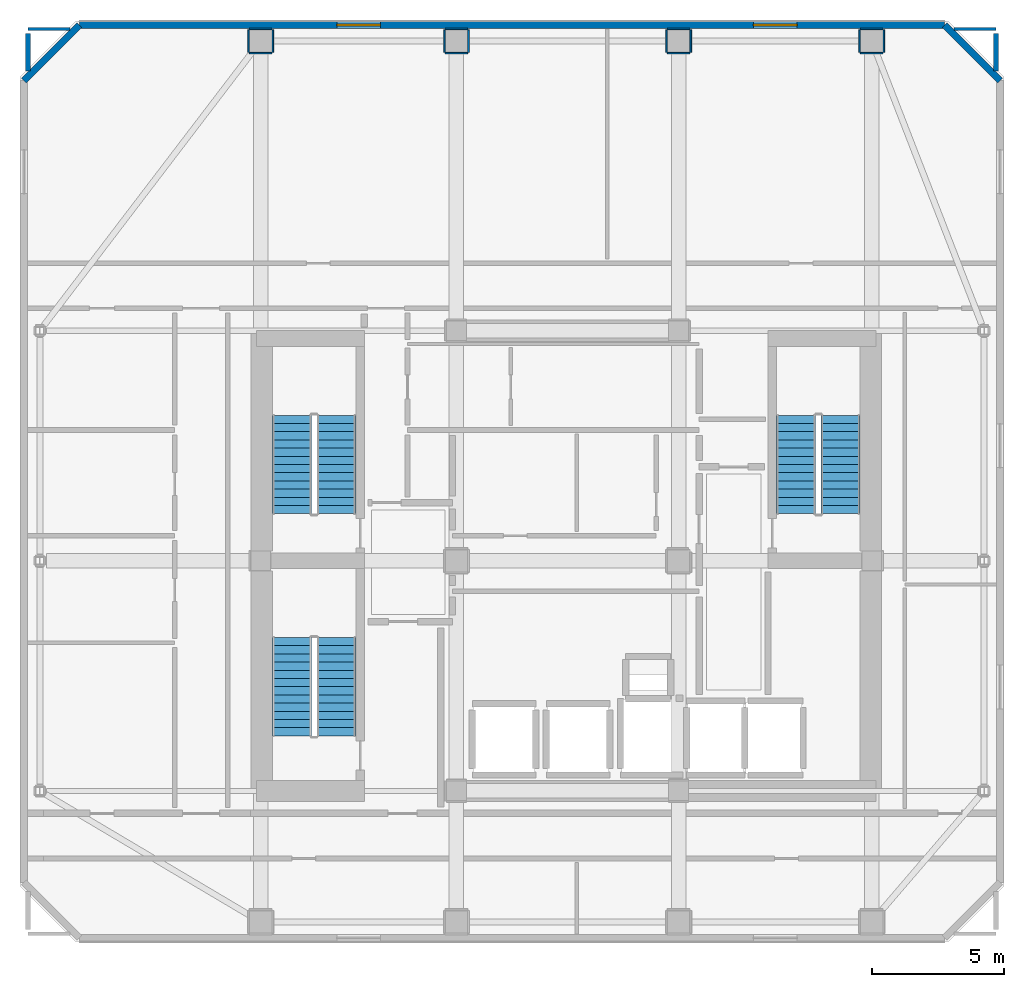
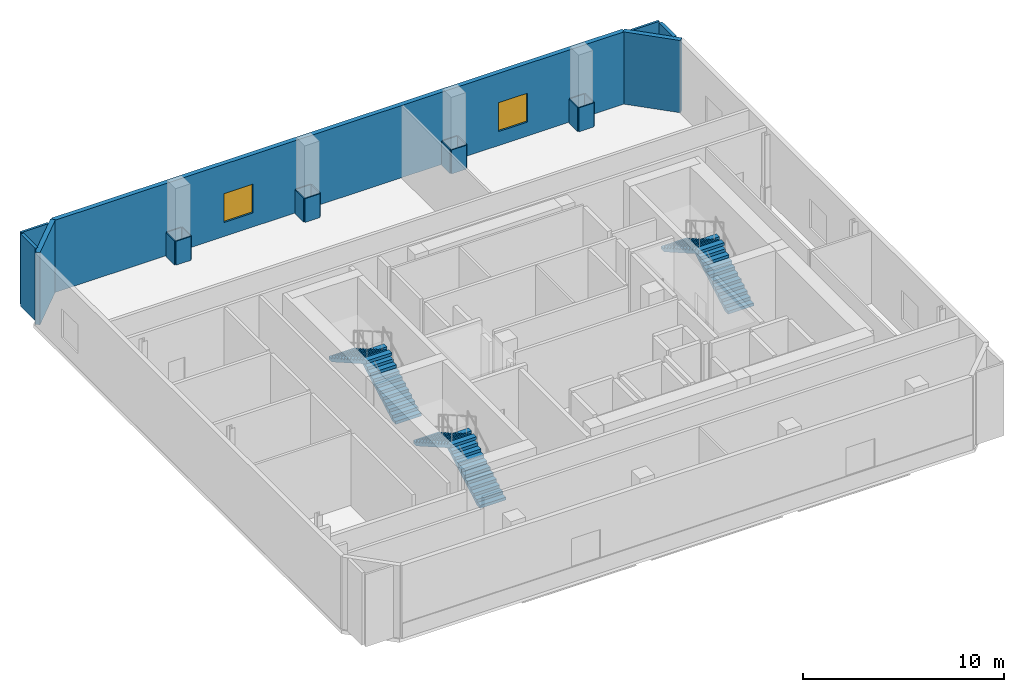
# One storey, part 8 of 10: 23 walls, 6 stair flights, 2 windows, 2 openings, 3 elements without a shape of their own.
"""IFC4 building model written with IfcOpenShell, lengths in metres."""

from ifc_helpers import new_model, si_unit, direction, frame, frame_2d, origin, place, context, subcontext, project, spatial, polyline, rectangle, outline, extrude, material, layer, layer_set, type_object, element, fill, aggregate, save


model = new_model("IFC4")

# Units and contexts
model_context = context("Model", 3, precision=1e-05, world=origin(), true_north=direction((0.0, 1.0)))
body_context = subcontext(model_context, "Body", "Model", "MODEL_VIEW")
ifc_project = project(units=[si_unit("LENGTHUNIT", "METRE"), si_unit("AREAUNIT", "SQUARE_METRE"), si_unit("VOLUMEUNIT", "CUBIC_METRE"), si_unit("PLANEANGLEUNIT", "RADIAN"), si_unit("MASSUNIT", "GRAM", prefix="KILO")], contexts=[model_context])

# Site, building, storey
site_placement = place(None, origin())
site = spatial("IfcSite", under=ifc_project, at=site_placement, CompositionType="ELEMENT")
building_placement = place(site_placement, origin())
building = spatial("IfcBuilding", under=site, at=building_placement, Name="Solanera Arch Residences", CompositionType="ELEMENT")
storey_placement = place(building_placement, frame((0.0, 0.0, 268.8798828125)))
storey = spatial("IfcBuildingStorey", under=building, at=storey_placement, Name="L78", CompositionType="ELEMENT", Elevation=268.8798828125)

# Walls
ifc_material_1 = material(Name="Fire-Rated Gypsum Stud Partition", Category="gypsum")
ifc_layer_1 = layer(ifc_material_1, 0.06005859375)
ifc_layer_set_1 = layer_set([ifc_layer_1], Name="Fire-Rated Gypsum Stud Partition")
wall_type_1 = type_object("IfcWallType", Name="Column Acoustic Furring Wall 60", PredefinedType="PARTITIONING", material=ifc_layer_set_1)
for number, where, z_axis, x_axis, name in (
    (1, (12.97509765625, 49.89306640625, 0.0), (0.0, 0.0, 1.0), (1.0, 0.0, 0.0), "L78 Column Furring 10S"),
    (2, (12.97509765625, 50.806884765625, 0.0), (0.0, 0.0, 1.0), (1.0, 0.0, 0.0), "L78 Column Furring 10N"),
    (3, (12.943115234375, 49.925048828125, 0.0), (0.0, 0.0, 1.0), (0.0, 1.0, 0.0), "L78 Column Furring 10W"),
    (4, (13.85693359375, 49.925048828125, 0.0), (0.0, 0.0, 1.0), (0.0, 1.0, 0.0), "L78 Column Furring 10E"),
):
    element("IfcWall", number, at=place(storey_placement, frame(where, z_axis=z_axis, x_axis=x_axis)), inside=storey, type_object=wall_type_1, Name=name, PredefinedType="PARTITIONING", context=body_context, shape_type="SweptSolid", body=[
        extrude(rectangle(XDim=0.849853515625, YDim=0.06005859375, at=frame_2d((0.4248046875, 0.0))), origin(), (0.0, 0.0, 1.0), 1.4501953125),
    ])
for number, where, z_axis, x_axis, name in (
    (5, (20.375, 49.89306640625, 0.0), (0.0, 0.0, 1.0), (1.0, 0.0, 0.0), "L78 Column Furring 12S"),
    (6, (20.375, 50.806884765625, 0.0), (0.0, 0.0, 1.0), (1.0, 0.0, 0.0), "L78 Column Furring 12N"),
):
    element("IfcWall", number, at=place(storey_placement, frame(where, z_axis=z_axis, x_axis=x_axis)), inside=storey, type_object=wall_type_1, Name=name, PredefinedType="PARTITIONING", context=body_context, shape_type="SweptSolid", body=[
        extrude(rectangle(XDim=0.85009765625, YDim=0.06005859375, at=frame_2d((0.425048828125, 0.0))), origin(), (0.0, 0.0, 1.0), 1.4501953125),
    ])
for number, where, z_axis, x_axis, name in (
    (7, (20.343017578125, 49.925048828125, 0.0), (0.0, 0.0, 1.0), (0.0, 1.0, 0.0), "L78 Column Furring 12W"),
    (8, (21.257080078125, 49.925048828125, 0.0), (0.0, 0.0, 1.0), (0.0, 1.0, 0.0), "L78 Column Furring 12E"),
):
    element("IfcWall", number, at=place(storey_placement, frame(where, z_axis=z_axis, x_axis=x_axis)), inside=storey, type_object=wall_type_1, Name=name, PredefinedType="PARTITIONING", context=body_context, shape_type="SweptSolid", body=[
        extrude(rectangle(XDim=0.849853515625, YDim=0.06005859375, at=frame_2d((0.4248046875, 0.0))), origin(), (0.0, 0.0, 1.0), 1.4501953125),
    ])
for number, where, z_axis, x_axis, name in (
    (9, (28.77490234375, 49.89306640625, 0.0), (0.0, 0.0, 1.0), (1.0, 0.0, 0.0), "L78 Column Furring 14S"),
    (10, (28.77490234375, 50.806884765625, 0.0), (0.0, 0.0, 1.0), (1.0, 0.0, 0.0), "L78 Column Furring 14N"),
):
    element("IfcWall", number, at=place(storey_placement, frame(where, z_axis=z_axis, x_axis=x_axis)), inside=storey, type_object=wall_type_1, Name=name, PredefinedType="PARTITIONING", context=body_context, shape_type="SweptSolid", body=[
        extrude(rectangle(XDim=0.85009765625, YDim=0.06005859375, at=frame_2d((0.425048828125, 0.0))), origin(), (0.0, 0.0, 1.0), 1.4501953125),
    ])
for number, where, z_axis, x_axis, name in (
    (11, (28.742919921875, 49.925048828125, 0.0), (0.0, 0.0, 1.0), (0.0, 1.0, 0.0), "L78 Column Furring 14W"),
    (12, (29.656982421875, 49.925048828125, 0.0), (0.0, 0.0, 1.0), (0.0, 1.0, 0.0), "L78 Column Furring 14E"),
):
    element("IfcWall", number, at=place(storey_placement, frame(where, z_axis=z_axis, x_axis=x_axis)), inside=storey, type_object=wall_type_1, Name=name, PredefinedType="PARTITIONING", context=body_context, shape_type="SweptSolid", body=[
        extrude(rectangle(XDim=0.849853515625, YDim=0.06005859375, at=frame_2d((0.4248046875, 0.0))), origin(), (0.0, 0.0, 1.0), 1.4501953125),
    ])
for number, where, z_axis, x_axis, name in (
    (13, (36.074951171875, 49.89306640625, 0.0), (0.0, 0.0, 1.0), (1.0, 0.0, 0.0), "L78 Column Furring 16S"),
    (14, (36.074951171875, 50.806884765625, 0.0), (0.0, 0.0, 1.0), (1.0, 0.0, 0.0), "L78 Column Furring 16N"),
):
    element("IfcWall", number, at=place(storey_placement, frame(where, z_axis=z_axis, x_axis=x_axis)), inside=storey, type_object=wall_type_1, Name=name, PredefinedType="PARTITIONING", context=body_context, shape_type="SweptSolid", body=[
        extrude(rectangle(XDim=0.85009765625, YDim=0.06005859375, at=frame_2d((0.425048828125, 0.0))), origin(), (0.0, 0.0, 1.0), 1.4501953125),
    ])
for number, where, z_axis, x_axis, name in (
    (15, (36.04296875, 49.925048828125, 0.0), (0.0, 0.0, 1.0), (0.0, 1.0, 0.0), "L78 Column Furring 16W"),
    (16, (36.95703125, 49.925048828125, 0.0), (0.0, 0.0, 1.0), (0.0, 1.0, 0.0), "L78 Column Furring 16E"),
):
    element("IfcWall", number, at=place(storey_placement, frame(where, z_axis=z_axis, x_axis=x_axis)), inside=storey, type_object=wall_type_1, Name=name, PredefinedType="PARTITIONING", context=body_context, shape_type="SweptSolid", body=[
        extrude(rectangle(XDim=0.849853515625, YDim=0.06005859375, at=frame_2d((0.4248046875, 0.0))), origin(), (0.0, 0.0, 1.0), 1.4501953125),
    ])
ifc_material_2 = material(Name="Autoclaved Aerated Concrete Blockwork", Category="masonry")
ifc_layer_2 = layer(ifc_material_2, 0.179931640625)
ifc_layer_set_2 = layer_set([ifc_layer_2], Name="Autoclaved Aerated Concrete Blockwork")
wall_type_2 = type_object("IfcWallType", Name="Corridor Fire Partition 180", PredefinedType="PARTITIONING", material=ifc_layer_set_2)
for number, where, z_axis, x_axis, name in (
    (17, (4.60009765625, 49.2109375, 0.0), (0.0, 0.0, 1.0), (0.0, 1.0, 0.0), "L78 Interior Partition V6 2"),
    (18, (41.199951171875, 49.2109375, 0.0), (0.0, 0.0, 1.0), (0.0, 1.0, 0.0), "L78 Interior Partition V11 2"),
):
    element("IfcWall", number, at=place(storey_placement, frame(where, z_axis=z_axis, x_axis=x_axis)), inside=storey, type_object=wall_type_2, Name=name, PredefinedType="PARTITIONING", context=body_context, shape_type="SweptSolid", body=[
        extrude(rectangle(XDim=1.43115234375, YDim=0.179931640625, at=frame_2d((0.715576171875, 0.0))), origin(), (0.0, 0.0, 1.0), 4.380126953125),
    ])
ifc_material_3 = material(Name="Precast Concrete C35/45", Category="concrete")
ifc_layer_3 = layer(ifc_material_3, 0.260009765625)
ifc_layer_set_3 = layer_set([ifc_layer_3], Name="Precast Concrete C35/45")
wall_type_3 = type_object("IfcWallType", Name="Exterior Wall Precast Masonry-Frame 260", PredefinedType="STANDARD", material=ifc_layer_set_3)
wall_1_placement = place(storey_placement, frame((4.445068359375, 48.85498046875, 0.0), z_axis=(0.0, 0.0, 1.0), x_axis=(0.707065676302, 0.707147883682, 0.0)))
element("IfcWall", 19, at=wall_1_placement, inside=storey, type_object=wall_type_3, Name="L78 Tower Exterior Precast Masonry-Frame Wall CH1", PredefinedType="STANDARD", context=body_context, shape_type="SweptSolid", body=[
    extrude(rectangle(XDim=2.9697265625, YDim=0.260009765625, at=frame_2d((1.48486328125, 0.0))), origin(), (0.0, 0.0, 1.0), 4.380126953125),
])

# Wall, openings, windows
wall_2_placement = place(storey_placement, frame((6.544921875, 50.955078125, 0.0), z_axis=(0.0, 0.0, 1.0), x_axis=(1.0, 0.0, 0.0)))
wall_2 = element("IfcWall", 20, at=wall_2_placement, inside=storey, type_object=wall_type_3, Name="L78 Tower Exterior Precast Masonry-Frame Wall N", PredefinedType="STANDARD", context=body_context, shape_type="SweptSolid", body=[
    extrude(rectangle(XDim=32.7099609375, YDim=0.260009765625, at=frame_2d((16.35498046875, 0.0))), origin(), (0.0, 0.0, 1.0), 4.380126953125),
])
opening_1_placement = place(wall_2_placement, frame((9.72998046875, 0.0, 0.85009765625)))
opening_1 = element("IfcOpeningElement", 21, at=opening_1_placement, cuts=wall_2, Name="Opening W-08", PredefinedType="OPENING", context=body_context, shape_type="SweptSolid", body=[
    extrude(rectangle(XDim=1.64990234375, YDim=1.75, at=frame_2d((0.824951171875, 0.875))), frame((0.0, 0.139892578125, 0.0), z_axis=(0.0, -1.0, 0.0), x_axis=(1.0, 0.0, 0.0)), (0.0, 0.0, 1.0), 0.28),
])
opening_2_placement = place(wall_2_placement, frame((25.47998046875, 0.0, 0.85009765625)))
opening_2 = element("IfcOpeningElement", 22, at=opening_2_placement, cuts=wall_2, Name="Opening W-08", PredefinedType="OPENING", context=body_context, shape_type="SweptSolid", body=[
    extrude(rectangle(XDim=1.64990234375, YDim=1.75, at=frame_2d((0.824951171875, 0.875))), frame((0.0, 0.139892578125, 0.0), z_axis=(0.0, -1.0, 0.0), x_axis=(1.0, 0.0, 0.0)), (0.0, 0.0, 1.0), 0.28),
])
ifc_material_4 = material(Name="Double Glazed Low-E Laminated Glass", Category="glass")
window_type = type_object("IfcWindowType", Name="Punched Window W-08", PartitioningType="DOUBLE_PANEL_HORIZONTAL", PredefinedType="WINDOW", material=ifc_material_4)
window_1_placement = place(opening_1_placement, origin())
window_1 = element("IfcWindow", 23, at=window_1_placement, inside=storey, type_object=window_type, Name="L78 OBS-N Punched Window", OverallHeight=1.75, OverallWidth=1.64990234375, PartitioningType="SINGLE_PANEL", PredefinedType="WINDOW", context=body_context, shape_type="SweptSolid", body=[
    extrude(rectangle(XDim=1.64990234375, YDim=1.75, at=frame_2d((0.824951171875, 0.875))), frame((0.0, 0.030029296875, 0.0), z_axis=(0.0, -1.0, 0.0), x_axis=(1.0, 0.0, 0.0)), (0.0, 0.0, 1.0), 0.06005859375),
])
fill(opening_1, window_1)
window_2_placement = place(opening_2_placement, origin())
window_2 = element("IfcWindow", 24, at=window_2_placement, inside=storey, type_object=window_type, Name="L78 CAFE-SKY Punched Window", OverallHeight=1.75, OverallWidth=1.64990234375, PartitioningType="SINGLE_PANEL", PredefinedType="WINDOW", context=body_context, shape_type="SweptSolid", body=[
    extrude(rectangle(XDim=1.64990234375, YDim=1.75, at=frame_2d((0.824951171875, 0.875))), frame((0.0, 0.030029296875, 0.0), z_axis=(0.0, -1.0, 0.0), x_axis=(1.0, 0.0, 0.0)), (0.0, 0.0, 1.0), 0.06005859375),
])
fill(opening_2, window_2)

# Walls
wall_3_placement = place(storey_placement, frame((39.2548828125, 50.955078125, 0.0), z_axis=(0.0, 0.0, 1.0), x_axis=(0.707106781187, -0.707106781187, 0.0)))
element("IfcWall", 25, at=wall_3_placement, inside=storey, type_object=wall_type_3, Name="L78 Tower Exterior Precast Masonry-Frame Wall CH3", PredefinedType="STANDARD", context=body_context, shape_type="SweptSolid", body=[
    extrude(rectangle(XDim=2.969970703125, YDim=0.260009765625, at=frame_2d((1.48486328125, 0.0))), origin(), (0.0, 0.0, 1.0), 4.380126953125),
])
ifc_material_5 = material(Name="Fire-Rated Gypsum Stud Partition", Category="gypsum")
ifc_layer_4 = layer(ifc_material_5, 0.1201171875)
ifc_layer_set_4 = layer_set([ifc_layer_4], Name="Fire-Rated Gypsum Stud Partition")
wall_type_4 = type_object("IfcWallType", Name="Unit Drywall Partition 120", PredefinedType="PARTITIONING", material=ifc_layer_set_4)
for number, where, z_axis, x_axis, name in (
    (26, (4.60009765625, 50.800048828125, 0.0), (0.0, 0.0, 1.0), (1.0, 0.0, 0.0), "L78 Interior Partition H19 1"),
    (27, (39.611083984375, 50.800048828125, 0.0), (0.0, 0.0, 1.0), (1.0, 0.0, 0.0), "L78 Interior Partition H19 2"),
):
    element("IfcWall", number, at=place(storey_placement, frame(where, z_axis=z_axis, x_axis=x_axis)), inside=storey, type_object=wall_type_4, Name=name, PredefinedType="PARTITIONING", context=body_context, shape_type="SweptSolid", body=[
        extrude(rectangle(XDim=1.5888671875, YDim=0.1201171875, at=frame_2d((0.79443359375, 0.0))), origin(), (0.0, 0.0, 1.0), 4.380126953125),
    ])

# Stair, stair flights
ifc_material_6 = material(Name="Concrete C40/50 (f'c = 45 MPa)", Category="concrete")
stair_type = type_object("IfcStairType", Name="Tower Dogleg Exit Stair 1480", PredefinedType="HALF_TURN_STAIR", material=ifc_material_6)
stair_1_placement = place(storey_placement, origin())
stair_1 = element("IfcStair", 28, at=stair_1_placement, inside=storey, type_object=stair_type, Name="L78 Tower Core Exit Stair 1", PredefinedType="HALF_TURN_STAIR")
ifc_material_7 = material(Name="Concrete C40/50 (f'c = 45 MPa)", Category="concrete")
stair_flight_type = type_object("IfcStairFlightType", Name="Tower Precast Stair Flight 1480", PredefinedType="STRAIGHT", material=ifc_material_7)
stair_flight_1_placement = place(storey_placement, frame((16.260009765625, 32.47998046875, 0.0), z_axis=(0.0, 0.0, 1.0), x_axis=(0.0, 1.0, 0.0)))
stair_flight_1 = element("IfcStairFlight", 29, at=stair_flight_1_placement, type_object=stair_flight_type, Name="ST-T1 flight 1", NumberOfRisers=13, NumberOfTreads=12, PredefinedType="STRAIGHT", RiserHeight=0.176923077, TreadLength=0.31, context=body_context, shape_type="SweptSolid", body=[
    extrude(outline(polyline([(0.0, 0.0), (0.0, 0.177001953125), (0.31005859375, 0.177001953125), (0.31005859375, 0.353759765625), (0.6201171875, 0.353759765625), (0.6201171875, 0.53076171875), (0.929931640625, 0.53076171875), (0.929931640625, 0.707763671875), (1.239990234375, 0.707763671875), (1.239990234375, 0.884521484375), (1.550048828125, 0.884521484375), (1.550048828125, 1.0615234375), (1.860107421875, 1.0615234375), (1.860107421875, 1.238525390625), (2.169921875, 1.238525390625), (2.169921875, 1.415283203125), (2.47998046875, 1.415283203125), (2.47998046875, 1.59228515625), (2.7900390625, 1.59228515625), (2.7900390625, 1.769287109375), (3.10009765625, 1.769287109375), (3.10009765625, 1.946044921875), (3.409912109375, 1.946044921875), (3.409912109375, 2.123046875), (3.719970703125, 2.123046875), (3.719970703125, 2.300048828125), (3.719970703125, 1.950439453125), (0.302490234375, 0.0), (0.0, 0.0)])), frame((0.0, 0.739990234375, 0.0), z_axis=(0.0, -1.0, 0.0), x_axis=(1.0, 0.0, 0.0)), (0.0, 0.0, 1.0), 1.47998046875),
])
stair_flight_2_placement = place(storey_placement, frame((14.580078125, 36.199951171875, 2.300048828125), z_axis=(0.0, 0.0, 1.0), x_axis=(0.0, -1.0, 0.0)))
stair_flight_2 = element("IfcStairFlight", 30, at=stair_flight_2_placement, type_object=stair_flight_type, Name="ST-T1 flight 2", NumberOfRisers=13, NumberOfTreads=12, PredefinedType="STRAIGHT", RiserHeight=0.176923077, TreadLength=0.31, context=body_context, shape_type="SweptSolid", body=[
    extrude(outline(polyline([(0.0, 0.0), (0.0, 0.177001953125), (0.31005859375, 0.177001953125), (0.31005859375, 0.353759765625), (0.6201171875, 0.353759765625), (0.6201171875, 0.53076171875), (0.929931640625, 0.53076171875), (0.929931640625, 0.707763671875), (1.239990234375, 0.707763671875), (1.239990234375, 0.884521484375), (1.550048828125, 0.884521484375), (1.550048828125, 1.0615234375), (1.860107421875, 1.0615234375), (1.860107421875, 1.238525390625), (2.169921875, 1.238525390625), (2.169921875, 1.415283203125), (2.47998046875, 1.415283203125), (2.47998046875, 1.59228515625), (2.7900390625, 1.59228515625), (2.7900390625, 1.769287109375), (3.10009765625, 1.769287109375), (3.10009765625, 1.946044921875), (3.409912109375, 1.946044921875), (3.409912109375, 2.123046875), (3.719970703125, 2.123046875), (3.719970703125, 2.300048828125), (3.719970703125, 1.950439453125), (0.302490234375, 0.0), (0.0, 0.0)])), frame((0.0, 0.739990234375, 0.0), z_axis=(0.0, -1.0, 0.0), x_axis=(1.0, 0.0, 0.0)), (0.0, 0.0, 1.0), 1.47998046875),
])
aggregate(stair_1, [stair_flight_1, stair_flight_2])

stair_2_placement = place(storey_placement, origin())
stair_2 = element("IfcStair", 31, at=stair_2_placement, inside=storey, type_object=stair_type, Name="L78 Tower Core Exit Stair 2", PredefinedType="HALF_TURN_STAIR")
stair_flight_3_placement = place(storey_placement, frame((35.320068359375, 32.47998046875, 0.0), z_axis=(0.0, 0.0, 1.0), x_axis=(0.0, 1.0, 0.0)))
stair_flight_3 = element("IfcStairFlight", 32, at=stair_flight_3_placement, type_object=stair_flight_type, Name="ST-T2 flight 1", NumberOfRisers=13, NumberOfTreads=12, PredefinedType="STRAIGHT", RiserHeight=0.176923077, TreadLength=0.31, context=body_context, shape_type="SweptSolid", body=[
    extrude(outline(polyline([(0.0, 0.0), (0.0, 0.177001953125), (0.31005859375, 0.177001953125), (0.31005859375, 0.353759765625), (0.6201171875, 0.353759765625), (0.6201171875, 0.53076171875), (0.929931640625, 0.53076171875), (0.929931640625, 0.707763671875), (1.239990234375, 0.707763671875), (1.239990234375, 0.884521484375), (1.550048828125, 0.884521484375), (1.550048828125, 1.0615234375), (1.860107421875, 1.0615234375), (1.860107421875, 1.238525390625), (2.169921875, 1.238525390625), (2.169921875, 1.415283203125), (2.47998046875, 1.415283203125), (2.47998046875, 1.59228515625), (2.7900390625, 1.59228515625), (2.7900390625, 1.769287109375), (3.10009765625, 1.769287109375), (3.10009765625, 1.946044921875), (3.409912109375, 1.946044921875), (3.409912109375, 2.123046875), (3.719970703125, 2.123046875), (3.719970703125, 2.300048828125), (3.719970703125, 1.950439453125), (0.302490234375, 0.0), (0.0, 0.0)])), frame((0.0, 0.739990234375, 0.0), z_axis=(0.0, -1.0, 0.0), x_axis=(1.0, 0.0, 0.0)), (0.0, 0.0, 1.0), 1.47998046875),
])
stair_flight_4_placement = place(storey_placement, frame((33.639892578125, 36.199951171875, 2.300048828125), z_axis=(0.0, 0.0, 1.0), x_axis=(0.0, -1.0, 0.0)))
stair_flight_4 = element("IfcStairFlight", 33, at=stair_flight_4_placement, type_object=stair_flight_type, Name="ST-T2 flight 2", NumberOfRisers=13, NumberOfTreads=12, PredefinedType="STRAIGHT", RiserHeight=0.176923077, TreadLength=0.31, context=body_context, shape_type="SweptSolid", body=[
    extrude(outline(polyline([(0.0, 0.0), (0.0, 0.177001953125), (0.31005859375, 0.177001953125), (0.31005859375, 0.353759765625), (0.6201171875, 0.353759765625), (0.6201171875, 0.53076171875), (0.929931640625, 0.53076171875), (0.929931640625, 0.707763671875), (1.239990234375, 0.707763671875), (1.239990234375, 0.884521484375), (1.550048828125, 0.884521484375), (1.550048828125, 1.0615234375), (1.860107421875, 1.0615234375), (1.860107421875, 1.238525390625), (2.169921875, 1.238525390625), (2.169921875, 1.415283203125), (2.47998046875, 1.415283203125), (2.47998046875, 1.59228515625), (2.7900390625, 1.59228515625), (2.7900390625, 1.769287109375), (3.10009765625, 1.769287109375), (3.10009765625, 1.946044921875), (3.409912109375, 1.946044921875), (3.409912109375, 2.123046875), (3.719970703125, 2.123046875), (3.719970703125, 2.300048828125), (3.719970703125, 1.950439453125), (0.302490234375, 0.0), (0.0, 0.0)])), frame((0.0, 0.739990234375, 0.0), z_axis=(0.0, -1.0, 0.0), x_axis=(1.0, 0.0, 0.0)), (0.0, 0.0, 1.0), 1.47998046875),
])
aggregate(stair_2, [stair_flight_3, stair_flight_4])

stair_3_placement = place(storey_placement, origin())
stair_3 = element("IfcStair", 34, at=stair_3_placement, inside=storey, type_object=stair_type, Name="L78 Tower Core Exit Stair 3", PredefinedType="HALF_TURN_STAIR")
stair_flight_5_placement = place(storey_placement, frame((16.260009765625, 24.080078125, 0.0), z_axis=(0.0, 0.0, 1.0), x_axis=(0.0, 1.0, 0.0)))
stair_flight_5 = element("IfcStairFlight", 35, at=stair_flight_5_placement, type_object=stair_flight_type, Name="ST-T3 flight 1", NumberOfRisers=13, NumberOfTreads=12, PredefinedType="STRAIGHT", RiserHeight=0.176923077, TreadLength=0.31, context=body_context, shape_type="SweptSolid", body=[
    extrude(outline(polyline([(0.0, 0.0), (0.0, 0.177001953125), (0.31005859375, 0.177001953125), (0.31005859375, 0.353759765625), (0.6201171875, 0.353759765625), (0.6201171875, 0.53076171875), (0.929931640625, 0.53076171875), (0.929931640625, 0.707763671875), (1.239990234375, 0.707763671875), (1.239990234375, 0.884521484375), (1.550048828125, 0.884521484375), (1.550048828125, 1.0615234375), (1.860107421875, 1.0615234375), (1.860107421875, 1.238525390625), (2.169921875, 1.238525390625), (2.169921875, 1.415283203125), (2.47998046875, 1.415283203125), (2.47998046875, 1.59228515625), (2.7900390625, 1.59228515625), (2.7900390625, 1.769287109375), (3.10009765625, 1.769287109375), (3.10009765625, 1.946044921875), (3.409912109375, 1.946044921875), (3.409912109375, 2.123046875), (3.719970703125, 2.123046875), (3.719970703125, 2.300048828125), (3.719970703125, 1.950439453125), (0.302490234375, 0.0), (0.0, 0.0)])), frame((0.0, 0.739990234375, 0.0), z_axis=(0.0, -1.0, 0.0), x_axis=(1.0, 0.0, 0.0)), (0.0, 0.0, 1.0), 1.47998046875),
])
stair_flight_6_placement = place(storey_placement, frame((14.580078125, 27.800048828125, 2.300048828125), z_axis=(0.0, 0.0, 1.0), x_axis=(0.0, -1.0, 0.0)))
stair_flight_6 = element("IfcStairFlight", 36, at=stair_flight_6_placement, type_object=stair_flight_type, Name="ST-T3 flight 2", NumberOfRisers=13, NumberOfTreads=12, PredefinedType="STRAIGHT", RiserHeight=0.176923077, TreadLength=0.31, context=body_context, shape_type="SweptSolid", body=[
    extrude(outline(polyline([(0.0, 0.0), (0.0, 0.177001953125), (0.31005859375, 0.177001953125), (0.31005859375, 0.353759765625), (0.6201171875, 0.353759765625), (0.6201171875, 0.53076171875), (0.929931640625, 0.53076171875), (0.929931640625, 0.707763671875), (1.239990234375, 0.707763671875), (1.239990234375, 0.884521484375), (1.550048828125, 0.884521484375), (1.550048828125, 1.0615234375), (1.860107421875, 1.0615234375), (1.860107421875, 1.238525390625), (2.169921875, 1.238525390625), (2.169921875, 1.415283203125), (2.47998046875, 1.415283203125), (2.47998046875, 1.59228515625), (2.7900390625, 1.59228515625), (2.7900390625, 1.769287109375), (3.10009765625, 1.769287109375), (3.10009765625, 1.946044921875), (3.409912109375, 1.946044921875), (3.409912109375, 2.123046875), (3.719970703125, 2.123046875), (3.719970703125, 2.300048828125), (3.719970703125, 1.950439453125), (0.302490234375, 0.0), (0.0, 0.0)])), frame((0.0, 0.739990234375, 0.0), z_axis=(0.0, -1.0, 0.0), x_axis=(1.0, 0.0, 0.0)), (0.0, 0.0, 1.0), 1.47998046875),
])
aggregate(stair_3, [stair_flight_5, stair_flight_6])

save(model, "model.ifc")
